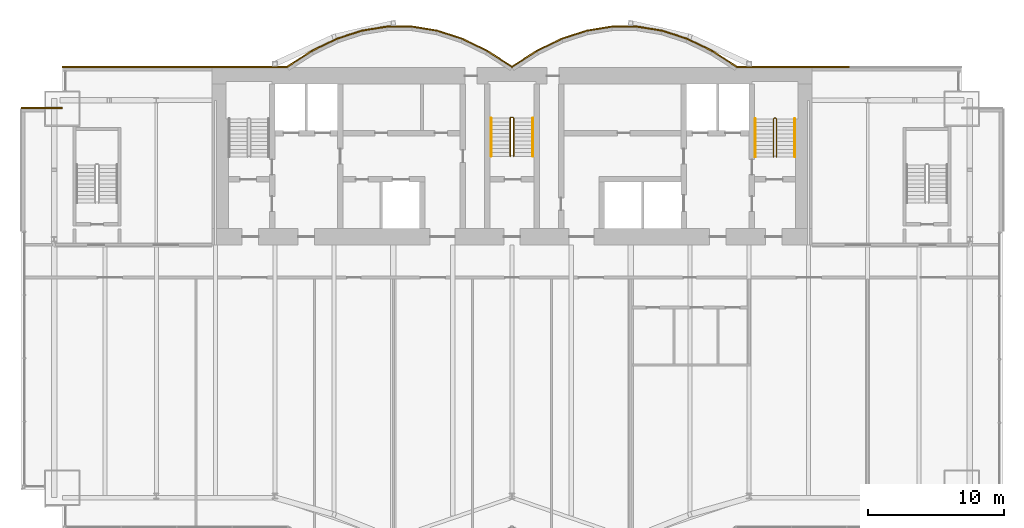
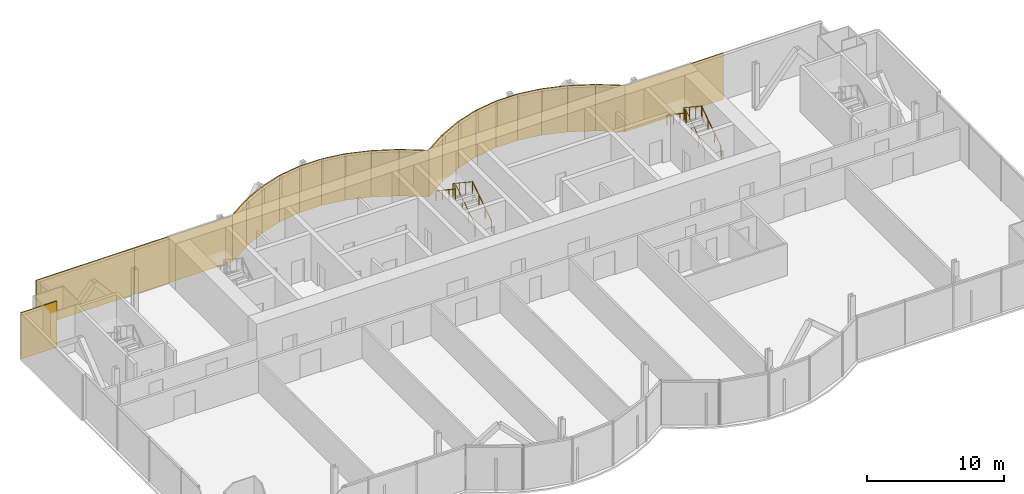
# One storey, part 19 of 20: 22 coverings, 6 railings.
"""IFC4 building model written with IfcOpenShell, lengths in metres."""

import ifcopenshell
import ifcopenshell.guid

model = None  # the IFC model being written
_history = None  # IfcOwnerHistory: only IFC2X3 demands one
_inside = {}  # id of a spatial element -> (the spatial element, [elements in it])
_under = {}  # id of a project, library or spatial element -> (it, [spatial elements below it])
_declared = {}  # id of a project -> (the project, [libraries it declares])
_typed = {}  # id of a type object -> (the type object, [elements of that type])
_made_of = {}  # id of a material, layer set ... -> (it, [elements and type objects made of it])


def new_model(schema):
    """Start an empty IFC model of exactly this schema.

    Asked for "IFC4X3", IfcOpenShell would pick the latest addendum, in which some entities
    have other attributes; the version numbers below select the first issue.
    IFC2X3 requires an IfcOwnerHistory on every rooted entity: one is made here for all.
    """
    global model, _history
    if schema == "IFC4X3":
        model = ifcopenshell.file(schema_version=(4, 3, 0, 0))
    else:
        model = ifcopenshell.file(schema=schema)
    _inside.clear()
    _under.clear()
    _declared.clear()
    _typed.clear()
    _made_of.clear()
    _history = None
    if model.schema == "IFC2X3":
        org = make("IfcOrganization", Name="unknown")
        user = make(
            "IfcPersonAndOrganization",
            ThePerson=make("IfcPerson", FamilyName="unknown"),
            TheOrganization=org,
        )
        app = make(
            "IfcApplication",
            ApplicationDeveloper=org,
            Version="unknown",
            ApplicationFullName="unknown",
            ApplicationIdentifier="unknown",
        )
        _history = make(
            "IfcOwnerHistory",
            OwningUser=user,
            OwningApplication=app,
            ChangeAction="ADDED",
            CreationDate=0,
        )
    return model


def make(cls, **values):
    """One entity of the class cls with the attributes given. An attribute that is None is left unset."""
    return model.create_entity(
        cls, **{name: value for name, value in values.items() if value is not None}
    )


def rooted(cls, **values):
    """An entity with a GlobalId (a new one), such as an element, a storey or a relation."""
    return make(cls, GlobalId=ifcopenshell.guid.new(), OwnerHistory=_history, **values)


def si_unit(unit_type, name, prefix=None):
    """IfcSIUnit, for example si_unit("LENGTHUNIT", "METRE", prefix="MILLI")."""
    return make("IfcSIUnit", UnitType=unit_type, Prefix=prefix, Name=name)


def assignment(units):
    """IfcUnitAssignment: the units of a project."""
    return None if units is None else make("IfcUnitAssignment", Units=units)


def point(xyz):
    """IfcCartesianPoint."""
    return None if xyz is None else make("IfcCartesianPoint", Coordinates=xyz)


def direction(xyz):
    """IfcDirection."""
    return None if xyz is None else make("IfcDirection", DirectionRatios=xyz)


def frame(location, z_axis=None, x_axis=None):
    """IfcAxis2Placement3D, a coordinate frame: its origin and axes. An axis left out is left unset."""
    return make(
        "IfcAxis2Placement3D",
        Location=point(location),
        Axis=direction(z_axis),
        RefDirection=direction(x_axis),
    )


def frame_2d(location, x_axis=None):
    """IfcAxis2Placement2D, a coordinate frame in the plane: its origin and x axis."""
    return make(
        "IfcAxis2Placement2D", Location=point(location), RefDirection=direction(x_axis)
    )


def origin():
    """The frame at (0, 0, 0) with its axes left unset."""
    return frame((0.0, 0.0, 0.0))


def origin_2d():
    """The frame at (0, 0) in the plane with its x axis left unset."""
    return frame_2d((0.0, 0.0))


def place(relative_to, where):
    """IfcLocalPlacement: puts the frame where relative to a parent placement (None: the world)."""
    return make(
        "IfcLocalPlacement", PlacementRelTo=relative_to, RelativePlacement=where
    )


def context(
    kind, dimensions, precision=None, world=None, true_north=None, identifier=None
):
    """IfcGeometricRepresentationContext, for example the 3D "Model" context."""
    return make(
        "IfcGeometricRepresentationContext",
        ContextIdentifier=identifier,
        ContextType=kind,
        CoordinateSpaceDimension=dimensions,
        Precision=precision,
        WorldCoordinateSystem=world,
        TrueNorth=true_north,
    )


def subcontext(parent, identifier, kind, view, scale=None):
    """IfcGeometricRepresentationSubContext, for example "Body" below "Model"."""
    return make(
        "IfcGeometricRepresentationSubContext",
        ContextIdentifier=identifier,
        ContextType=kind,
        ParentContext=parent,
        TargetScale=scale,
        TargetView=view,
    )


def project(units=None, contexts=None):
    """IfcProject with its units and contexts."""
    return rooted(
        "IfcProject",
        Name="project",
        RepresentationContexts=contexts,
        UnitsInContext=assignment(units),
    )


def spatial(cls, under=None, at=None, **own):
    """A site, building, storey or space (cls), placed at a placement, below another one or the project."""
    s = rooted(cls, ObjectPlacement=at, **own)
    if under is not None:
        _under.setdefault(under.id(), (under, []))[1].append(s)
    return s


def profile(cls, at=None, kind="AREA", **sizes):
    """A parametric profile (cls). Its sizes go by their IFC names, for example OverallWidth=200.0."""
    return make(cls, ProfileType=kind, Position=at, **sizes)


def rectangle(**sizes):
    """IfcRectangleProfileDef."""
    return profile("IfcRectangleProfileDef", **sizes)


def circle(**sizes):
    """IfcCircleProfileDef."""
    return profile("IfcCircleProfileDef", **sizes)


def extrude(swept, where, along, depth):
    """IfcExtrudedAreaSolid: the profile swept, set in the frame where, extruded along a direction by depth."""
    return make(
        "IfcExtrudedAreaSolid",
        SweptArea=swept,
        Position=where,
        ExtrudedDirection=direction(along),
        Depth=depth,
    )


def shape(context_of_items, identifier, shape_type, items):
    """IfcShapeRepresentation: the items that make up one representation, for example the "Body"."""
    return make(
        "IfcShapeRepresentation",
        ContextOfItems=context_of_items,
        RepresentationIdentifier=identifier,
        RepresentationType=shape_type,
        Items=items,
    )


def material(Name=None, Category=None):
    """IfcMaterial."""
    return make("IfcMaterial", Name=Name, Category=Category)


def layer(
    of_material, thickness, ventilated=None, Name=None, Category=None, Priority=None
):
    """IfcMaterialLayer: one layer of a wall or slab, of a material (None: an air gap)."""
    return make(
        "IfcMaterialLayer",
        Material=of_material,
        LayerThickness=thickness,
        IsVentilated=ventilated,
        Name=Name,
        Category=Category,
        Priority=Priority,
    )


def layer_set(layers, Name=None):
    """IfcMaterialLayerSet."""
    return make("IfcMaterialLayerSet", MaterialLayers=layers, LayerSetName=Name)


def made_of(thing, what):
    """Note that an element or type object is made of a material, layer set ...; save() writes the relation."""
    if what is not None:
        _made_of.setdefault(what.id(), (what, []))[1].append(thing)
    return thing


def type_object(cls, material=None, **own):
    """A type object (cls), such as IfcWallType, which elements share."""
    return made_of(rooted(cls, **own), material)


def element(
    cls,
    number,
    at=None,
    inside=None,
    cuts=None,
    type_object=None,
    material=None,
    context=None,
    identifier="Body",
    shape_type=None,
    held_by="IfcProductDefinitionShape",
    body=None,
    shapes=None,
    **own,
):
    """One element of the class cls, such as IfcWall. Its Tag is "e" and its number.

    at: its placement. inside: the storey or other place that contains it. cuts: it is an
    opening in that element (IfcRelVoidsElement). A single representation is given by context,
    identifier, shape_type and body (its items); several are given by shapes. held_by: the class
    of the entity that holds the representations. save() writes the other relations.
    """
    e = rooted(cls, Tag="e%d" % number, ObjectPlacement=at, **own)
    if body is not None:
        shapes = [shape(context, identifier, shape_type, body)]
    if shapes is not None:
        e.Representation = make(held_by, Representations=shapes)
    if inside is not None:
        _inside.setdefault(inside.id(), (inside, []))[1].append(e)
    if cuts is not None:
        rooted(
            "IfcRelVoidsElement", RelatingBuildingElement=cuts, RelatedOpeningElement=e
        )
    if type_object is not None:
        _typed.setdefault(type_object.id(), (type_object, []))[1].append(e)
    return made_of(e, material)


def aggregate(whole, parts):
    """IfcRelAggregates: a whole, such as a stair, and the parts it consists of."""
    return rooted("IfcRelAggregates", RelatingObject=whole, RelatedObjects=parts)


def save(model, path):
    """Write the relations noted so far, then the file.

    IfcRelAggregates (storeys below a building ...), IfcRelContainedInSpatialStructure (elements
    in a storey), IfcRelDefinesByType, IfcRelAssociatesMaterial and IfcRelDeclares: one each for
    every whole, place, type object, material and project.
    """
    for whole, parts in _under.values():
        aggregate(whole, parts)
    for where, things in _inside.values():
        rooted(
            "IfcRelContainedInSpatialStructure",
            RelatedElements=things,
            RelatingStructure=where,
        )
    for kind, things in _typed.values():
        rooted("IfcRelDefinesByType", RelatedObjects=things, RelatingType=kind)
    for what, things in _made_of.values():
        rooted("IfcRelAssociatesMaterial", RelatedObjects=things, RelatingMaterial=what)
    for by, libraries in _declared.values():
        rooted("IfcRelDeclares", RelatingContext=by, RelatedDefinitions=libraries)
    model.write(path)


model = new_model("IFC4")

# Units and contexts
model_context = context("Model", 3, precision=1e-05, world=origin(), true_north=direction((0.0, 1.0)))
body_context = subcontext(model_context, "Body", "Model", "MODEL_VIEW")
ifc_project = project(units=[si_unit("LENGTHUNIT", "METRE"), si_unit("AREAUNIT", "SQUARE_METRE"), si_unit("VOLUMEUNIT", "CUBIC_METRE"), si_unit("PLANEANGLEUNIT", "RADIAN"), si_unit("MASSUNIT", "GRAM", prefix="KILO")], contexts=[model_context])

# Site, building, storey
site_placement = place(None, origin())
site = spatial("IfcSite", under=ifc_project, at=site_placement, CompositionType="ELEMENT")
building_placement = place(site_placement, origin())
building = spatial("IfcBuilding", under=site, at=building_placement, Name="Bicima Exchange Tower", CompositionType="ELEMENT")
storey_placement = place(building_placement, frame((0.0, 0.0, 177.300048828125)))
storey = spatial("IfcBuildingStorey", under=building, at=storey_placement, Name="L39", CompositionType="ELEMENT", Elevation=177.300048828125)

# Coverings
ifc_material_1 = material(Name="Bronze metal cladding")
ifc_layer_1 = layer(ifc_material_1, 0.004)
ifc_material_2 = material(Name="Ventilated cavity")
ifc_layer_2 = layer(ifc_material_2, 0.06)
ifc_material_3 = material(Name="Galvanised steel rail and mineral wool", Category="steel")
ifc_layer_3 = layer(ifc_material_3, 0.036)
ifc_layer_set = layer_set([ifc_layer_1, ifc_layer_2, ifc_layer_3], Name="Ventilated cavity")
covering_type = type_object("IfcCoveringType", Name="Bronze metal cladding panel 100", PredefinedType="CLADDING", material=ifc_layer_set)
covering_1_placement = place(storey_placement, frame((20.625, 0.050048828125, -0.150146484375), z_axis=(0.0, 0.0, 1.0), x_axis=(-1.0, 0.0, 0.0)))
element("IfcCovering", 1, at=covering_1_placement, inside=storey, type_object=covering_type, Name="Bronze cladding L39 1.2", PredefinedType="CLADDING", context=body_context, shape_type="SweptSolid", body=[
    extrude(rectangle(XDim=8.25, YDim=0.10009765625, at=origin_2d()), origin(), (0.0, 0.0, 1.0), 4.10009765625),
])
covering_2_placement = place(storey_placement, frame((15.610595703125, 0.634521484375, -0.150146484375), z_axis=(0.0, 0.0, 1.0), x_axis=(-0.839790466384, 0.542910648791, 0.0)))
element("IfcCovering", 2, at=covering_2_placement, inside=storey, type_object=covering_type, Name="Bronze cladding L39 2.1", PredefinedType="CLADDING", context=body_context, shape_type="SweptSolid", body=[
    extrude(rectangle(XDim=2.18310546875, YDim=0.10009765625, at=origin_2d()), origin(), (0.0, 0.0, 1.0), 4.10009765625),
])
covering_3_placement = place(storey_placement, frame((13.771728515625, 1.674560546875, -0.150146484375), z_axis=(0.0, 0.0, 1.0), x_axis=(-0.899818346812, 0.436264762204, 0.0)))
element("IfcCovering", 3, at=covering_3_placement, inside=storey, type_object=covering_type, Name="Bronze cladding L39 3.1", PredefinedType="CLADDING", context=body_context, shape_type="SweptSolid", body=[
    extrude(rectangle(XDim=2.03759765625, YDim=0.10009765625, at=origin_2d()), origin(), (0.0, 0.0, 1.0), 4.10009765625),
])
covering_4_placement = place(storey_placement, frame((11.931884765625, 2.41796875, -0.150146484375), z_axis=(0.0, 0.0, 1.0), x_axis=(-0.951524642381, 0.307572519808, 0.0)))
element("IfcCovering", 4, at=covering_4_placement, inside=storey, type_object=covering_type, Name="Bronze cladding L39 4.1", PredefinedType="CLADDING", context=body_context, shape_type="SweptSolid", body=[
    extrude(rectangle(XDim=1.9267578125, YDim=0.10009765625, at=origin_2d()), origin(), (0.0, 0.0, 1.0), 4.10009765625),
])
covering_5_placement = place(storey_placement, frame((10.09130859375, 2.8642578125, -0.150146484375), z_axis=(0.0, 0.0, 1.0), x_axis=(-0.987189786347, 0.159550386184, 0.0)))
element("IfcCovering", 5, at=covering_5_placement, inside=storey, type_object=covering_type, Name="Bronze cladding L39 5.1", PredefinedType="CLADDING", context=body_context, shape_type="SweptSolid", body=[
    extrude(rectangle(XDim=1.857177734375, YDim=0.10009765625, at=origin_2d()), origin(), (0.0, 0.0, 1.0), 4.10009765625),
])
covering_6_placement = place(storey_placement, frame((8.25, 3.012939453125, -0.150146484375), z_axis=(0.0, 0.0, 1.0), x_axis=(-1.0, 0.0, 0.0)))
element("IfcCovering", 6, at=covering_6_placement, inside=storey, type_object=covering_type, Name="Bronze cladding L39 6.1", PredefinedType="CLADDING", context=body_context, shape_type="SweptSolid", body=[
    extrude(rectangle(XDim=1.83349609375, YDim=0.10009765625, at=origin_2d()), origin(), (0.0, 0.0, 1.0), 4.10009765625),
])
covering_7_placement = place(storey_placement, frame((6.40869140625, 2.8642578125, -0.150146484375), z_axis=(0.0, 0.0, 1.0), x_axis=(-0.987189786347, -0.159550386184, 0.0)))
element("IfcCovering", 7, at=covering_7_placement, inside=storey, type_object=covering_type, Name="Bronze cladding L39 7.1", PredefinedType="CLADDING", context=body_context, shape_type="SweptSolid", body=[
    extrude(rectangle(XDim=1.857177734375, YDim=0.10009765625, at=origin_2d()), origin(), (0.0, 0.0, 1.0), 4.10009765625),
])
covering_8_placement = place(storey_placement, frame((4.568115234375, 2.41796875, -0.150146484375), z_axis=(0.0, 0.0, 1.0), x_axis=(-0.951524642381, -0.307572519808, 0.0)))
element("IfcCovering", 8, at=covering_8_placement, inside=storey, type_object=covering_type, Name="Bronze cladding L39 8.1", PredefinedType="CLADDING", context=body_context, shape_type="SweptSolid", body=[
    extrude(rectangle(XDim=1.9267578125, YDim=0.10009765625, at=origin_2d()), origin(), (0.0, 0.0, 1.0), 4.10009765625),
])
covering_9_placement = place(storey_placement, frame((2.728271484375, 1.674560546875, -0.150146484375), z_axis=(0.0, 0.0, 1.0), x_axis=(-0.899818346812, -0.436264762204, 0.0)))
element("IfcCovering", 9, at=covering_9_placement, inside=storey, type_object=covering_type, Name="Bronze cladding L39 9.1", PredefinedType="CLADDING", context=body_context, shape_type="SweptSolid", body=[
    extrude(rectangle(XDim=2.03759765625, YDim=0.10009765625, at=origin_2d()), origin(), (0.0, 0.0, 1.0), 4.10009765625),
])
for number, where, z_axis, x_axis, name in (
    (10, (0.889404296875, 0.634521484375, -0.150146484375), (0.0, 0.0, 1.0), (-0.839790466384, -0.542910648791, 0.0), "Bronze cladding L39 10.1"),
    (11, (-0.889404296875, 0.634521484375, -0.150146484375), (0.0, 0.0, 1.0), (-0.839790466384, 0.542910648791, 0.0), "Bronze cladding L39 11.1"),
):
    element("IfcCovering", number, at=place(storey_placement, frame(where, z_axis=z_axis, x_axis=x_axis)), inside=storey, type_object=covering_type, Name=name, PredefinedType="CLADDING", context=body_context, shape_type="SweptSolid", body=[
        extrude(rectangle(XDim=2.18310546875, YDim=0.10009765625, at=origin_2d()), origin(), (0.0, 0.0, 1.0), 4.10009765625),
    ])
covering_10_placement = place(storey_placement, frame((-2.728271484375, 1.674560546875, -0.150146484375), z_axis=(0.0, 0.0, 1.0), x_axis=(-0.899818346812, 0.436264762204, 0.0)))
element("IfcCovering", 12, at=covering_10_placement, inside=storey, type_object=covering_type, Name="Bronze cladding L39 12.1", PredefinedType="CLADDING", context=body_context, shape_type="SweptSolid", body=[
    extrude(rectangle(XDim=2.03759765625, YDim=0.10009765625, at=origin_2d()), origin(), (0.0, 0.0, 1.0), 4.10009765625),
])
covering_11_placement = place(storey_placement, frame((-4.568115234375, 2.41796875, -0.150146484375), z_axis=(0.0, 0.0, 1.0), x_axis=(-0.951524642381, 0.307572519808, 0.0)))
element("IfcCovering", 13, at=covering_11_placement, inside=storey, type_object=covering_type, Name="Bronze cladding L39 13.1", PredefinedType="CLADDING", context=body_context, shape_type="SweptSolid", body=[
    extrude(rectangle(XDim=1.9267578125, YDim=0.10009765625, at=origin_2d()), origin(), (0.0, 0.0, 1.0), 4.10009765625),
])
covering_12_placement = place(storey_placement, frame((-6.40869140625, 2.8642578125, -0.150146484375), z_axis=(0.0, 0.0, 1.0), x_axis=(-0.987189786347, 0.159550386184, 0.0)))
element("IfcCovering", 14, at=covering_12_placement, inside=storey, type_object=covering_type, Name="Bronze cladding L39 14.1", PredefinedType="CLADDING", context=body_context, shape_type="SweptSolid", body=[
    extrude(rectangle(XDim=1.857177734375, YDim=0.10009765625, at=origin_2d()), origin(), (0.0, 0.0, 1.0), 4.10009765625),
])
covering_13_placement = place(storey_placement, frame((-8.25, 3.012939453125, -0.150146484375), z_axis=(0.0, 0.0, 1.0), x_axis=(-1.0, 0.0, 0.0)))
element("IfcCovering", 15, at=covering_13_placement, inside=storey, type_object=covering_type, Name="Bronze cladding L39 15.1", PredefinedType="CLADDING", context=body_context, shape_type="SweptSolid", body=[
    extrude(rectangle(XDim=1.83349609375, YDim=0.10009765625, at=origin_2d()), origin(), (0.0, 0.0, 1.0), 4.10009765625),
])
covering_14_placement = place(storey_placement, frame((-10.09130859375, 2.8642578125, -0.150146484375), z_axis=(0.0, 0.0, 1.0), x_axis=(-0.987189786347, -0.159550386184, 0.0)))
element("IfcCovering", 16, at=covering_14_placement, inside=storey, type_object=covering_type, Name="Bronze cladding L39 16.1", PredefinedType="CLADDING", context=body_context, shape_type="SweptSolid", body=[
    extrude(rectangle(XDim=1.857177734375, YDim=0.10009765625, at=origin_2d()), origin(), (0.0, 0.0, 1.0), 4.10009765625),
])
covering_15_placement = place(storey_placement, frame((-11.931884765625, 2.41796875, -0.150146484375), z_axis=(0.0, 0.0, 1.0), x_axis=(-0.951524642381, -0.307572519808, 0.0)))
element("IfcCovering", 17, at=covering_15_placement, inside=storey, type_object=covering_type, Name="Bronze cladding L39 17.1", PredefinedType="CLADDING", context=body_context, shape_type="SweptSolid", body=[
    extrude(rectangle(XDim=1.9267578125, YDim=0.10009765625, at=origin_2d()), origin(), (0.0, 0.0, 1.0), 4.10009765625),
])
covering_16_placement = place(storey_placement, frame((-13.771728515625, 1.674560546875, -0.150146484375), z_axis=(0.0, 0.0, 1.0), x_axis=(-0.899818346812, -0.436264762204, 0.0)))
element("IfcCovering", 18, at=covering_16_placement, inside=storey, type_object=covering_type, Name="Bronze cladding L39 18.1", PredefinedType="CLADDING", context=body_context, shape_type="SweptSolid", body=[
    extrude(rectangle(XDim=2.03759765625, YDim=0.10009765625, at=origin_2d()), origin(), (0.0, 0.0, 1.0), 4.10009765625),
])
covering_17_placement = place(storey_placement, frame((-15.610595703125, 0.634521484375, -0.150146484375), z_axis=(0.0, 0.0, 1.0), x_axis=(-0.839790466384, -0.542910648791, 0.0)))
element("IfcCovering", 19, at=covering_17_placement, inside=storey, type_object=covering_type, Name="Bronze cladding L39 19.1", PredefinedType="CLADDING", context=body_context, shape_type="SweptSolid", body=[
    extrude(rectangle(XDim=2.18310546875, YDim=0.10009765625, at=origin_2d()), origin(), (0.0, 0.0, 1.0), 4.10009765625),
])
for number, where, z_axis, x_axis, name in (
    (20, (-20.625, 0.050048828125, -0.150146484375), (0.0, 0.0, 1.0), (-1.0, 0.0, 0.0), "Bronze cladding L39 20.1"),
    (21, (-28.875, 0.050048828125, -0.150146484375), (0.0, 0.0, 1.0), (-1.0, 0.0, 0.0), "Bronze cladding L39 20.2"),
):
    element("IfcCovering", number, at=place(storey_placement, frame(where, z_axis=z_axis, x_axis=x_axis)), inside=storey, type_object=covering_type, Name=name, PredefinedType="CLADDING", context=body_context, shape_type="SweptSolid", body=[
        extrude(rectangle(XDim=8.25, YDim=0.10009765625, at=origin_2d()), origin(), (0.0, 0.0, 1.0), 4.10009765625),
    ])
covering_18_placement = place(storey_placement, frame((-34.5, -2.949951171875, -0.150146484375), z_axis=(0.0, 0.0, 1.0), x_axis=(-1.0, 0.0, 0.0)))
element("IfcCovering", 22, at=covering_18_placement, inside=storey, type_object=covering_type, Name="Bronze cladding L39 22.1", PredefinedType="CLADDING", context=body_context, shape_type="SweptSolid", body=[
    extrude(rectangle(XDim=3.0, YDim=0.10009765625, at=origin_2d()), origin(), (0.0, 0.0, 1.0), 4.10009765625),
])

# Railings
ifc_material_4 = material(Name="Stainless steel", Category="steel")
railing_type_1 = type_object("IfcRailingType", Name="Stair guard 1100", PredefinedType="GUARDRAIL", material=ifc_material_4)
railing_1_placement = place(storey_placement, frame((0.125, -6.5, 0.186279296875)))
element("IfcRailing", 23, at=railing_1_placement, inside=storey, type_object=railing_type_1, Name="L39 ST-C stair guard 1", PredefinedType="GUARDRAIL", context=body_context, shape_type="SweptSolid", body=[
    extrude(circle(Radius=0.02392578125, at=origin_2d()), frame((0.0, 0.0, 1.076171875), z_axis=(0.0, 0.832452072856, 0.554097055034), x_axis=(-1.0, 0.0, 0.0)), (0.0, 0.0, 1.0), 3.363525390625),
    extrude(circle(Radius=0.02392578125, at=origin_2d()), frame((0.0, 2.800048828125, 2.93994140625), z_axis=(-0.707106781187, 0.707106781187, 0.0), x_axis=(-0.707106781187, -0.707106781187, 0.0)), (0.0, 0.0, 1.0), 0.07080078125),
    extrude(circle(Radius=0.02392578125, at=origin_2d()), frame((-0.050048828125, 2.85009765625, 2.93994140625), z_axis=(-1.0, 0.0, 0.0), x_axis=(0.0, -1.0, 0.0)), (0.0, 0.0, 1.0), 0.14990234375),
    extrude(circle(Radius=0.02392578125, at=origin_2d()), frame((-0.199951171875, 2.85009765625, 2.93994140625), z_axis=(-0.251157038772, -0.251157038772, 0.934794246747), x_axis=(0.707106781187, -0.707106781187, 0.0)), (0.0, 0.0, 1.0), 0.19921875),
    extrude(circle(Radius=0.02392578125, at=origin_2d()), frame((-0.25, 2.800048828125, 3.1259765625), z_axis=(0.0, -0.832485552168, 0.554046753832), x_axis=(1.0, 0.0, 0.0)), (0.0, 0.0, 1.0), 3.363525390625),
    extrude(circle(Radius=0.02099609375, at=origin_2d()), origin(), (0.0, 0.0, 1.0), 1.052001953125),
    extrude(circle(Radius=0.02099609375, at=origin_2d()), frame((0.0, 0.933349609375, 0.621337890625)), (0.0, 0.0, 1.0), 1.052001953125),
    extrude(circle(Radius=0.02099609375, at=origin_2d()), frame((0.0, 1.86669921875, 1.242431640625)), (0.0, 0.0, 1.0), 1.052001953125),
    extrude(circle(Radius=0.02099609375, at=origin_2d()), frame((0.0, 2.800048828125, 1.86376953125)), (0.0, 0.0, 1.0), 1.052001953125),
    extrude(circle(Radius=0.02099609375, at=origin_2d()), frame((-0.050048828125, 2.85009765625, 1.86376953125)), (0.0, 0.0, 1.0), 1.052001953125),
    extrude(circle(Radius=0.02099609375, at=origin_2d()), frame((-0.199951171875, 2.85009765625, 1.86376953125)), (0.0, 0.0, 1.0), 1.052001953125),
    extrude(circle(Radius=0.02099609375, at=origin_2d()), frame((-0.25, 2.800048828125, 2.050048828125)), (0.0, 0.0, 1.0), 1.052001953125),
    extrude(circle(Radius=0.02099609375, at=origin_2d()), frame((-0.25, 1.86669921875, 2.671142578125)), (0.0, 0.0, 1.0), 1.052001953125),
    extrude(circle(Radius=0.02099609375, at=origin_2d()), frame((-0.25, 0.933349609375, 3.29248046875)), (0.0, 0.0, 1.0), 1.052001953125),
    extrude(circle(Radius=0.02099609375, at=origin_2d()), frame((-0.25, 0.0, 3.91357421875)), (0.0, 0.0, 1.0), 1.052001953125),
])
railing_2_placement = place(storey_placement, frame((19.39990234375, -6.550048828125, 0.186279296875)))
element("IfcRailing", 24, at=railing_2_placement, inside=storey, type_object=railing_type_1, Name="L39 ST-E stair guard 1", PredefinedType="GUARDRAIL", context=body_context, shape_type="SweptSolid", body=[
    extrude(circle(Radius=0.02392578125, at=origin_2d()), frame((0.0, 0.0, 1.076171875), z_axis=(0.0, 0.832452072856, 0.554097055034), x_axis=(-1.0, 0.0, 0.0)), (0.0, 0.0, 1.0), 3.363525390625),
    extrude(circle(Radius=0.02392578125, at=origin_2d()), frame((0.0, 2.800048828125, 2.93994140625), z_axis=(-0.705375805398, 0.708833529934, 0.0), x_axis=(-0.708833529934, -0.705375805398, 0.0)), (0.0, 0.0, 1.0), 0.070556640625),
    extrude(circle(Radius=0.02392578125, at=origin_2d()), frame((-0.0498046875, 2.85009765625, 2.93994140625), z_axis=(-1.0, 0.0, 0.0), x_axis=(0.0, -1.0, 0.0)), (0.0, 0.0, 1.0), 0.10009765625),
    extrude(circle(Radius=0.02392578125, at=origin_2d()), frame((-0.14990234375, 2.85009765625, 2.93994140625), z_axis=(-0.251157038772, -0.251157038772, 0.934794246747), x_axis=(0.707106781187, -0.707106781187, 0.0)), (0.0, 0.0, 1.0), 0.19921875),
    extrude(circle(Radius=0.02392578125, at=origin_2d()), frame((-0.199951171875, 2.800048828125, 3.1259765625), z_axis=(0.0, -0.832485552168, 0.554046753832), x_axis=(1.0, 0.0, 0.0)), (0.0, 0.0, 1.0), 3.363525390625),
    extrude(circle(Radius=0.02099609375, at=origin_2d()), origin(), (0.0, 0.0, 1.0), 1.052001953125),
    extrude(circle(Radius=0.02099609375, at=origin_2d()), frame((0.0, 0.933349609375, 0.621337890625)), (0.0, 0.0, 1.0), 1.052001953125),
    extrude(circle(Radius=0.02099609375, at=origin_2d()), frame((0.0, 1.86669921875, 1.242431640625)), (0.0, 0.0, 1.0), 1.052001953125),
    extrude(circle(Radius=0.02099609375, at=origin_2d()), frame((0.0, 2.800048828125, 1.86376953125)), (0.0, 0.0, 1.0), 1.052001953125),
    extrude(circle(Radius=0.02099609375, at=origin_2d()), frame((-0.0498046875, 2.85009765625, 1.86376953125)), (0.0, 0.0, 1.0), 1.052001953125),
    extrude(circle(Radius=0.02099609375, at=origin_2d()), frame((-0.14990234375, 2.85009765625, 1.86376953125)), (0.0, 0.0, 1.0), 1.052001953125),
    extrude(circle(Radius=0.02099609375, at=origin_2d()), frame((-0.199951171875, 2.800048828125, 2.050048828125)), (0.0, 0.0, 1.0), 1.052001953125),
    extrude(circle(Radius=0.02099609375, at=origin_2d()), frame((-0.199951171875, 1.86669921875, 2.671142578125)), (0.0, 0.0, 1.0), 1.052001953125),
    extrude(circle(Radius=0.02099609375, at=origin_2d()), frame((-0.199951171875, 0.933349609375, 3.29248046875)), (0.0, 0.0, 1.0), 1.052001953125),
    extrude(circle(Radius=0.02099609375, at=origin_2d()), frame((-0.199951171875, 0.0, 3.91357421875)), (0.0, 0.0, 1.0), 1.052001953125),
])
railing_type_2 = type_object("IfcRailingType", Name="Stair handrail 900", PredefinedType="HANDRAIL", material=ifc_material_4)
railing_3_placement = place(storey_placement, frame((1.52490234375, -6.5, 0.186279296875)))
element("IfcRailing", 25, at=railing_3_placement, inside=storey, type_object=railing_type_2, Name="L39 ST-C stair handrail 1", PredefinedType="HANDRAIL", context=body_context, shape_type="SweptSolid", body=[
    extrude(circle(Radius=0.02392578125, at=origin_2d()), frame((0.0, 0.0, 0.8759765625), z_axis=(0.0, 0.832452072856, 0.554097055034), x_axis=(-1.0, 0.0, 0.0)), (0.0, 0.0, 1.0), 3.363525390625),
    extrude(circle(Radius=0.02099609375, at=origin_2d()), origin(), (0.0, 0.0, 1.0), 0.851806640625),
    extrude(circle(Radius=0.02099609375, at=origin_2d()), frame((0.0, 0.933349609375, 0.621337890625)), (0.0, 0.0, 1.0), 0.851806640625),
    extrude(circle(Radius=0.02099609375, at=origin_2d()), frame((0.0, 1.86669921875, 1.242431640625)), (0.0, 0.0, 1.0), 0.851806640625),
    extrude(circle(Radius=0.02099609375, at=origin_2d()), frame((0.0, 2.800048828125, 1.86376953125)), (0.0, 0.0, 1.0), 0.851806640625),
])
railing_4_placement = place(storey_placement, frame((-1.52490234375, -3.699951171875, 2.276611328125)))
element("IfcRailing", 26, at=railing_4_placement, inside=storey, type_object=railing_type_2, Name="L39 ST-C stair handrail 2", PredefinedType="HANDRAIL", context=body_context, shape_type="SweptSolid", body=[
    extrude(circle(Radius=0.02392578125, at=origin_2d()), frame((0.0, 0.0, 0.8759765625), z_axis=(0.0, -0.832452072856, 0.554097055034), x_axis=(1.0, 0.0, 0.0)), (0.0, 0.0, 1.0), 3.363525390625),
    extrude(circle(Radius=0.02099609375, at=origin_2d()), origin(), (0.0, 0.0, 1.0), 0.851806640625),
    extrude(circle(Radius=0.02099609375, at=origin_2d()), frame((0.0, -0.933349609375, 0.621337890625)), (0.0, 0.0, 1.0), 0.851806640625),
    extrude(circle(Radius=0.02099609375, at=origin_2d()), frame((0.0, -1.86669921875, 1.242431640625)), (0.0, 0.0, 1.0), 0.851806640625),
    extrude(circle(Radius=0.02099609375, at=origin_2d()), frame((0.0, -2.800048828125, 1.86376953125)), (0.0, 0.0, 1.0), 0.851806640625),
])
railing_5_placement = place(storey_placement, frame((20.75, -6.550048828125, 0.186279296875)))
element("IfcRailing", 27, at=railing_5_placement, inside=storey, type_object=railing_type_2, Name="L39 ST-E stair handrail 1", PredefinedType="HANDRAIL", context=body_context, shape_type="SweptSolid", body=[
    extrude(circle(Radius=0.02392578125, at=origin_2d()), frame((0.0, 0.0, 0.8759765625), z_axis=(0.0, 0.832452072856, 0.554097055034), x_axis=(-1.0, 0.0, 0.0)), (0.0, 0.0, 1.0), 3.363525390625),
    extrude(circle(Radius=0.02099609375, at=origin_2d()), origin(), (0.0, 0.0, 1.0), 0.851806640625),
    extrude(circle(Radius=0.02099609375, at=origin_2d()), frame((0.0, 0.933349609375, 0.621337890625)), (0.0, 0.0, 1.0), 0.851806640625),
    extrude(circle(Radius=0.02099609375, at=origin_2d()), frame((0.0, 1.86669921875, 1.242431640625)), (0.0, 0.0, 1.0), 0.851806640625),
    extrude(circle(Radius=0.02099609375, at=origin_2d()), frame((0.0, 2.800048828125, 1.86376953125)), (0.0, 0.0, 1.0), 0.851806640625),
])
railing_6_placement = place(storey_placement, frame((17.85009765625, -3.75, 2.276611328125)))
element("IfcRailing", 28, at=railing_6_placement, inside=storey, type_object=railing_type_2, Name="L39 ST-E stair handrail 2", PredefinedType="HANDRAIL", context=body_context, shape_type="SweptSolid", body=[
    extrude(circle(Radius=0.02392578125, at=origin_2d()), frame((0.0, 0.0, 0.8759765625), z_axis=(0.0, -0.832452072856, 0.554097055034), x_axis=(1.0, 0.0, 0.0)), (0.0, 0.0, 1.0), 3.363525390625),
    extrude(circle(Radius=0.02099609375, at=origin_2d()), origin(), (0.0, 0.0, 1.0), 0.851806640625),
    extrude(circle(Radius=0.02099609375, at=origin_2d()), frame((0.0, -0.933349609375, 0.621337890625)), (0.0, 0.0, 1.0), 0.851806640625),
    extrude(circle(Radius=0.02099609375, at=origin_2d()), frame((0.0, -1.86669921875, 1.242431640625)), (0.0, 0.0, 1.0), 0.851806640625),
    extrude(circle(Radius=0.02099609375, at=origin_2d()), frame((0.0, -2.800048828125, 1.86376953125)), (0.0, 0.0, 1.0), 0.851806640625),
])

save(model, "model.ifc")
